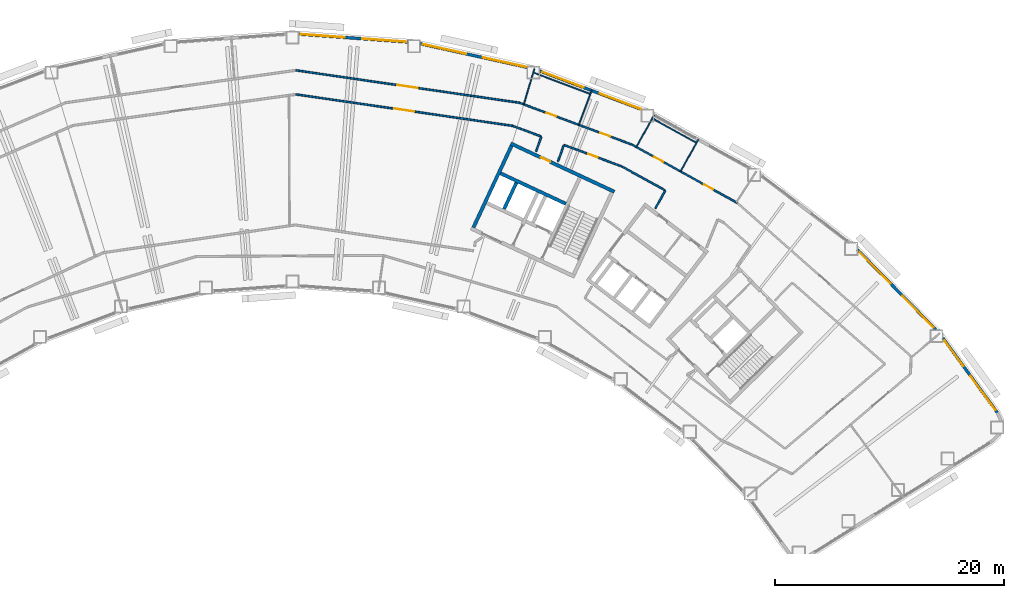
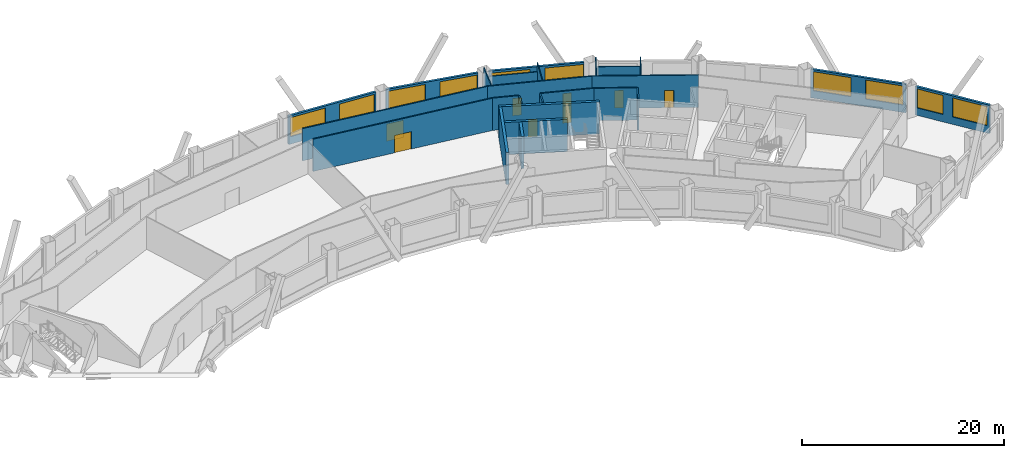
# One storey, part 8 of 11: 25 walls, 10 windows, 8 doors, 18 openings.
"""IFC4 building model written with IfcOpenShell, lengths in metres."""

from ifc_helpers import new_model, si_unit, direction, frame, frame_2d, origin, place, context, subcontext, project, spatial, rectangle, extrude, material, layer, layer_set, type_object, element, fill, save


model = new_model("IFC4")

# Units and contexts
model_context = context("Model", 3, precision=1e-05, world=origin(), true_north=direction((0.0, 1.0)))
body_context = subcontext(model_context, "Body", "Model", "MODEL_VIEW")
ifc_project = project(units=[si_unit("LENGTHUNIT", "METRE"), si_unit("AREAUNIT", "SQUARE_METRE"), si_unit("VOLUMEUNIT", "CUBIC_METRE"), si_unit("PLANEANGLEUNIT", "RADIAN"), si_unit("MASSUNIT", "GRAM", prefix="KILO")], contexts=[model_context])

# Site, building, storey
site_placement = place(None, origin())
site = spatial("IfcSite", under=ifc_project, at=site_placement, CompositionType="ELEMENT")
building_placement = place(site_placement, origin())
building = spatial("IfcBuilding", under=site, at=building_placement, Name="Tuul Gate Civic Tower", CompositionType="ELEMENT")
storey_placement = place(building_placement, frame((0.0, 0.0, 99.300048828125)))
storey = spatial("IfcBuildingStorey", under=building, at=storey_placement, Name="Level 22", CompositionType="ELEMENT", Elevation=99.300048828125)

# Wall
ifc_material_1 = material(Name="Concrete C50/60", Category="concrete")
ifc_layer_1 = layer(ifc_material_1, 0.300048828125)
ifc_layer_set_1 = layer_set([ifc_layer_1], Name="Concrete C50/60")
wall_type_1 = type_object("IfcWallType", Name="Core wall C50/60", PredefinedType="SHEAR", material=ifc_layer_set_1)
wall_1_placement = place(storey_placement, frame((33.75, -0.873779296875, 0.0), z_axis=(0.0, 0.0, 1.0), x_axis=(-0.906300917592, 0.422632992999, 0.0)))
element("IfcWall", 1, at=wall_1_placement, inside=storey, type_object=wall_type_1, Name="Core wall", PredefinedType="SHEAR", context=body_context, shape_type="SweptSolid", body=[
    extrude(rectangle(XDim=6.300048828125, YDim=0.300048828125, at=frame_2d((3.14990234375, 0.0))), origin(), (0.0, 0.0, 1.0), 3.89990234375),
])

# Wall, opening, door
wall_2_placement = place(storey_placement, frame((37.993408203125, 0.181884765625, 0.0), z_axis=(0.0, 0.0, 1.0), x_axis=(-0.906310338845, 0.422612789327, 0.0)))
wall_2 = element("IfcWall", 2, at=wall_2_placement, inside=storey, type_object=wall_type_1, Name="Core wall", PredefinedType="SHEAR", context=body_context, shape_type="SweptSolid", body=[
    extrude(rectangle(XDim=9.999755859375, YDim=0.300048828125, at=frame_2d((5.0, 0.0))), origin(), (0.0, 0.0, 1.0), 3.89990234375),
])
opening_1_placement = place(wall_2_placement, frame((6.175048828125, 0.0, 0.0)))
opening_1 = element("IfcOpeningElement", 3, at=opening_1_placement, cuts=wall_2, Name="Opening G-D31", PredefinedType="OPENING", context=body_context, shape_type="SweptSolid", body=[
    extrude(rectangle(XDim=0.89990234375, YDim=2.10009765625, at=frame_2d((0.449951171875, 1.050048828125))), frame((0.0, 0.16015625, 0.0), z_axis=(0.0, -1.0, 0.0), x_axis=(1.0, 0.0, 0.0)), (0.0, 0.0, 1.0), 0.320068359375),
])
ifc_material_2 = material(Name="Timber door leaf", Category="wood")
door_type_1 = type_object("IfcDoorType", Name="Door D09", OperationType="NOTDEFINED", PredefinedType="DOOR", material=ifc_material_2)
door_1_placement = place(opening_1_placement, origin())
door_1 = element("IfcDoor", 4, at=door_1_placement, inside=storey, type_object=door_type_1, Name="Door G-D31", OperationType="SINGLE_SWING_LEFT", OverallHeight=2.10009765625, OverallWidth=0.89990234375, PredefinedType="DOOR", context=body_context, shape_type="SweptSolid", body=[
    extrude(rectangle(XDim=0.89990234375, YDim=2.10009765625, at=frame_2d((0.449951171875, 1.050048828125))), frame((0.0, 0.02490234375, 0.0), z_axis=(0.0, -1.0, 0.0), x_axis=(1.0, 0.0, 0.0)), (0.0, 0.0, 1.0), 0.050048828125),
])
fill(opening_1, door_1)

# Walls
wall_3_placement = place(storey_placement, frame((28.349365234375, -1.33447265625, 0.0), z_axis=(0.0, 0.0, 1.0), x_axis=(0.422612891016, 0.906310291427, 0.0)))
element("IfcWall", 5, at=wall_3_placement, inside=storey, type_object=wall_type_1, Name="Core wall", PredefinedType="SHEAR", context=body_context, shape_type="SweptSolid", body=[
    extrude(rectangle(XDim=2.550048828125, YDim=0.300048828125, at=frame_2d((1.27490234375, 0.0))), origin(), (0.0, 0.0, 1.0), 3.89990234375),
])
wall_4_placement = place(storey_placement, frame((25.66455078125, -2.951416015625, 0.0), z_axis=(0.0, 0.0, 1.0), x_axis=(0.422582604137, 0.906324413596, 0.0)))
element("IfcWall", 6, at=wall_4_placement, inside=storey, type_object=wall_type_1, Name="Core wall", PredefinedType="SHEAR", context=body_context, shape_type="SweptSolid", body=[
    extrude(rectangle(XDim=7.89990234375, YDim=0.300048828125, at=frame_2d((3.949951171875, 0.0))), origin(), (0.0, 0.0, 1.0), 3.89990234375),
])

# Wall, openings, doors
ifc_material_3 = material(Name="Gypsum board partition")
ifc_layer_2 = layer(ifc_material_3, 0.14990234375)
ifc_layer_set_2 = layer_set([ifc_layer_2], Name="Gypsum board partition")
wall_type_2 = type_object("IfcWallType", Name="Corridor wall P150", PredefinedType="PARTITIONING", material=ifc_layer_set_2)
wall_5_placement = place(storey_placement, frame((39.54541015625, 4.30322265625, 0.0), z_axis=(0.0, 0.0, 1.0), x_axis=(0.874963966878, -0.48418803854, 0.0)))
wall_5 = element("IfcWall", 7, at=wall_5_placement, inside=storey, type_object=wall_type_2, Name="p004", PredefinedType="PARTITIONING", context=body_context, shape_type="SweptSolid", body=[
    extrude(rectangle(XDim=10.519775390625, YDim=0.14990234375, at=frame_2d((5.259765625, 0.0))), origin(), (0.0, 0.0, 1.0), 3.89990234375),
])
opening_2_placement = place(wall_5_placement, frame((7.186279296875, 0.0, 0.0)))
opening_2 = element("IfcOpeningElement", 8, at=opening_2_placement, cuts=wall_5, Name="Opening G-D02", PredefinedType="OPENING", context=body_context, shape_type="SweptSolid", body=[
    extrude(rectangle(XDim=0.89990234375, YDim=2.10009765625, at=frame_2d((0.449951171875, 1.050048828125))), frame((0.0, 0.0849609375, 0.0), z_axis=(0.0, -1.0, 0.0), x_axis=(1.0, 0.0, 0.0)), (0.0, 0.0, 1.0), 0.169921875),
])
opening_3_placement = place(wall_5_placement, frame((2.193603515625, 0.0, 0.0)))
opening_3 = element("IfcOpeningElement", 9, at=opening_3_placement, cuts=wall_5, Name="Opening G-D03", PredefinedType="OPENING", context=body_context, shape_type="SweptSolid", body=[
    extrude(rectangle(XDim=0.89990234375, YDim=2.10009765625, at=frame_2d((0.449951171875, 1.050048828125))), frame((0.0, 0.0849609375, 0.0), z_axis=(0.0, -1.0, 0.0), x_axis=(1.0, 0.0, 0.0)), (0.0, 0.0, 1.0), 0.169921875),
])
door_2_placement = place(opening_2_placement, origin())
door_2 = element("IfcDoor", 10, at=door_2_placement, inside=storey, type_object=door_type_1, Name="Door G-D02", OperationType="SINGLE_SWING_RIGHT", OverallHeight=2.10009765625, OverallWidth=0.89990234375, PredefinedType="DOOR", context=body_context, shape_type="SweptSolid", body=[
    extrude(rectangle(XDim=0.89990234375, YDim=2.10009765625, at=frame_2d((0.449951171875, 1.050048828125))), frame((0.0, 0.02490234375, 0.0), z_axis=(0.0, -1.0, 0.0), x_axis=(1.0, 0.0, 0.0)), (0.0, 0.0, 1.0), 0.050048828125),
])
fill(opening_2, door_2)
door_3_placement = place(opening_3_placement, origin())
door_3 = element("IfcDoor", 11, at=door_3_placement, inside=storey, type_object=door_type_1, Name="Door G-D03", OperationType="SINGLE_SWING_RIGHT", OverallHeight=2.10009765625, OverallWidth=0.89990234375, PredefinedType="DOOR", context=body_context, shape_type="SweptSolid", body=[
    extrude(rectangle(XDim=0.89990234375, YDim=2.10009765625, at=frame_2d((0.449951171875, 1.050048828125))), frame((0.0, 0.02490234375, 0.0), z_axis=(0.0, -1.0, 0.0), x_axis=(1.0, 0.0, 0.0)), (0.0, 0.0, 1.0), 0.050048828125),
])
fill(opening_3, door_3)

wall_6_placement = place(storey_placement, frame((29.68896484375, 7.966796875, 0.0), z_axis=(0.0, 0.0, 1.0), x_axis=(0.937344267912, -0.348404539886, 0.0)))
wall_6 = element("IfcWall", 12, at=wall_6_placement, inside=storey, type_object=wall_type_2, Name="p010", PredefinedType="PARTITIONING", context=body_context, shape_type="SweptSolid", body=[
    extrude(rectangle(XDim=10.515380859375, YDim=0.14990234375, at=frame_2d((5.2578125, 0.0))), origin(), (0.0, 0.0, 1.0), 3.89990234375),
])
opening_4_placement = place(wall_6_placement, frame((2.525146484375, 0.0, 0.0)))
opening_4 = element("IfcOpeningElement", 13, at=opening_4_placement, cuts=wall_6, Name="Opening G-D04", PredefinedType="OPENING", context=body_context, shape_type="SweptSolid", body=[
    extrude(rectangle(XDim=0.89990234375, YDim=2.10009765625, at=frame_2d((0.449951171875, 1.050048828125))), frame((0.0, 0.0849609375, 0.0), z_axis=(0.0, -1.0, 0.0), x_axis=(1.0, 0.0, 0.0)), (0.0, 0.0, 1.0), 0.169921875),
])
opening_5_placement = place(wall_6_placement, frame((7.562255859375, 0.0, 0.0)))
opening_5 = element("IfcOpeningElement", 14, at=opening_5_placement, cuts=wall_6, Name="Opening G-D23", PredefinedType="OPENING", context=body_context, shape_type="SweptSolid", body=[
    extrude(rectangle(XDim=0.89990234375, YDim=2.10009765625, at=frame_2d((0.449951171875, 1.050048828125))), frame((0.0, 0.0849609375, 0.0), z_axis=(0.0, -1.0, 0.0), x_axis=(1.0, 0.0, 0.0)), (0.0, 0.0, 1.0), 0.169921875),
])
door_4_placement = place(opening_4_placement, origin())
door_4 = element("IfcDoor", 15, at=door_4_placement, inside=storey, type_object=door_type_1, Name="Door G-D04", OperationType="SINGLE_SWING_RIGHT", OverallHeight=2.10009765625, OverallWidth=0.89990234375, PredefinedType="DOOR", context=body_context, shape_type="SweptSolid", body=[
    extrude(rectangle(XDim=0.89990234375, YDim=2.10009765625, at=frame_2d((0.449951171875, 1.050048828125))), frame((0.0, 0.02490234375, 0.0), z_axis=(0.0, -1.0, 0.0), x_axis=(1.0, 0.0, 0.0)), (0.0, 0.0, 1.0), 0.050048828125),
])
fill(opening_4, door_4)
door_5_placement = place(opening_5_placement, origin())
door_5 = element("IfcDoor", 16, at=door_5_placement, inside=storey, type_object=door_type_1, Name="Door G-D23", OperationType="SINGLE_SWING_RIGHT", OverallHeight=2.10009765625, OverallWidth=0.89990234375, PredefinedType="DOOR", context=body_context, shape_type="SweptSolid", body=[
    extrude(rectangle(XDim=0.89990234375, YDim=2.10009765625, at=frame_2d((0.449951171875, 1.050048828125))), frame((0.0, 0.02490234375, 0.0), z_axis=(0.0, -1.0, 0.0), x_axis=(1.0, 0.0, 0.0)), (0.0, 0.0, 1.0), 0.050048828125),
])
fill(opening_5, door_5)

# Wall, opening, door
wall_7_placement = place(storey_placement, frame((10.135986328125, 10.806640625, 0.0), z_axis=(0.0, 0.0, 1.0), x_axis=(0.989616882265, -0.143730394617, 0.0)))
wall_7 = element("IfcWall", 17, at=wall_7_placement, inside=storey, type_object=wall_type_2, Name="p014", PredefinedType="PARTITIONING", context=body_context, shape_type="SweptSolid", body=[
    extrude(rectangle(XDim=19.758056640625, YDim=0.14990234375, at=frame_2d((9.87890625, 0.0))), origin(), (0.0, 0.0, 1.0), 3.89990234375),
])
opening_6_placement = place(wall_7_placement, frame((8.97900390625, 0.0, 0.0)))
opening_6 = element("IfcOpeningElement", 18, at=opening_6_placement, cuts=wall_7, Name="Opening G-D05", PredefinedType="OPENING", context=body_context, shape_type="SweptSolid", body=[
    extrude(rectangle(XDim=1.800048828125, YDim=2.10009765625, at=frame_2d((0.89990234375, 1.050048828125))), frame((0.0, 0.0849609375, 0.0), z_axis=(0.0, -1.0, 0.0), x_axis=(1.0, 0.0, 0.0)), (0.0, 0.0, 1.0), 0.169921875),
])
ifc_material_4 = material(Name="Timber door leaf, double", Category="wood")
door_type_2 = type_object("IfcDoorType", Name="Door D18", OperationType="DOUBLE_DOOR_SINGLE_SWING", PredefinedType="DOOR", material=ifc_material_4)
door_6_placement = place(opening_6_placement, origin())
door_6 = element("IfcDoor", 19, at=door_6_placement, inside=storey, type_object=door_type_2, Name="Door G-D05", OperationType="DOUBLE_DOOR_SINGLE_SWING", OverallHeight=2.10009765625, OverallWidth=1.800048828125, PredefinedType="DOOR", context=body_context, shape_type="SweptSolid", body=[
    extrude(rectangle(XDim=1.800048828125, YDim=2.10009765625, at=frame_2d((0.89990234375, 1.050048828125))), frame((0.0, 0.02490234375, 0.0), z_axis=(0.0, -1.0, 0.0), x_axis=(1.0, 0.0, 0.0)), (0.0, 0.0, 1.0), 0.050048828125),
])
fill(opening_6, door_6)

# Walls
wall_8_placement = place(storey_placement, frame((38.66748046875, 2.388916015625, 0.0), z_axis=(0.0, 0.0, 1.0), x_axis=(0.874977303157, -0.484163938103, 0.0)))
element("IfcWall", 20, at=wall_8_placement, inside=storey, type_object=wall_type_2, Name="p054", PredefinedType="PARTITIONING", context=body_context, shape_type="SweptSolid", body=[
    extrude(rectangle(XDim=4.3046875, YDim=0.14990234375, at=frame_2d((2.15234375, 0.0))), origin(), (0.0, 0.0, 1.0), 3.89990234375),
])
wall_9_placement = place(storey_placement, frame((33.059326171875, 2.814453125, 0.0), z_axis=(0.0, 0.0, 1.0), x_axis=(0.337142214413, 0.941453730813, 0.0)))
element("IfcWall", 21, at=wall_9_placement, inside=storey, type_object=wall_type_2, Name="p058", PredefinedType="PARTITIONING", context=body_context, shape_type="SweptSolid", body=[
    extrude(rectangle(XDim=1.53515625, YDim=0.14990234375, at=frame_2d((0.767578125, 0.0))), origin(), (0.0, 0.0, 1.0), 3.89990234375),
])
wall_10_placement = place(storey_placement, frame((29.093017578125, 5.94775390625, 0.0), z_axis=(0.0, 0.0, 1.0), x_axis=(0.937354495684, -0.348377021948, 0.0)))
element("IfcWall", 22, at=wall_10_placement, inside=storey, type_object=wall_type_2, Name="p059", PredefinedType="PARTITIONING", context=body_context, shape_type="SweptSolid", body=[
    extrude(rectangle(XDim=2.670654296875, YDim=0.14990234375, at=frame_2d((1.33544921875, 0.0))), origin(), (0.0, 0.0, 1.0), 3.89990234375),
])

# Wall, opening, door
wall_11_placement = place(storey_placement, frame((33.6025390625, 4.271728515625, 0.0), z_axis=(0.0, 0.0, 1.0), x_axis=(0.937345147729, -0.348402172826, 0.0)))
wall_11 = element("IfcWall", 23, at=wall_11_placement, inside=storey, type_object=wall_type_2, Name="p060", PredefinedType="PARTITIONING", context=body_context, shape_type="SweptSolid", body=[
    extrude(rectangle(XDim=5.400634765625, YDim=0.14990234375, at=frame_2d((2.7001953125, 0.0))), origin(), (0.0, 0.0, 1.0), 3.89990234375),
])
opening_7_placement = place(wall_11_placement, frame((2.250244140625, 0.0, 0.0)))
opening_7 = element("IfcOpeningElement", 24, at=opening_7_placement, cuts=wall_11, Name="Opening G-D16", PredefinedType="OPENING", context=body_context, shape_type="SweptSolid", body=[
    extrude(rectangle(XDim=0.89990234375, YDim=2.10009765625, at=frame_2d((0.449951171875, 1.050048828125))), frame((0.0, 0.0849609375, 0.0), z_axis=(0.0, -1.0, 0.0), x_axis=(1.0, 0.0, 0.0)), (0.0, 0.0, 1.0), 0.169921875),
])
door_7_placement = place(opening_7_placement, frame((0.89990234375, 0.0, 0.0), z_axis=(0.0, 0.0, 1.0), x_axis=(-1.0, 0.0, 0.0)))
door_7 = element("IfcDoor", 25, at=door_7_placement, inside=storey, type_object=door_type_1, Name="Door G-D16", OperationType="SINGLE_SWING_LEFT", OverallHeight=2.10009765625, OverallWidth=0.89990234375, PredefinedType="DOOR", context=body_context, shape_type="SweptSolid", body=[
    extrude(rectangle(XDim=0.89990234375, YDim=2.10009765625, at=frame_2d((0.449951171875, 1.050048828125))), frame((0.0, 0.02490234375, 0.0), z_axis=(0.0, -1.0, 0.0), x_axis=(1.0, 0.0, 0.0)), (0.0, 0.0, 1.0), 0.050048828125),
])
fill(opening_7, door_7)

# Wall
wall_12_placement = place(storey_placement, frame((41.580322265625, -1.288818359375, 0.0), z_axis=(0.0, 0.0, 1.0), x_axis=(0.481939719388, 0.876204375061, 0.0)))
element("IfcWall", 26, at=wall_12_placement, inside=storey, type_object=wall_type_2, Name="p061", PredefinedType="PARTITIONING", context=body_context, shape_type="SweptSolid", body=[
    extrude(rectangle(XDim=1.78759765625, YDim=0.14990234375, at=frame_2d((0.893798828125, 0.0))), origin(), (0.0, 0.0, 1.0), 3.89990234375),
])

# Wall, opening, door
wall_13_placement = place(storey_placement, frame((10.134521484375, 8.700927734375, 0.0), z_axis=(0.0, 0.0, 1.0), x_axis=(0.989617506615, -0.143726095753, 0.0)))
wall_13 = element("IfcWall", 27, at=wall_13_placement, inside=storey, type_object=wall_type_2, Name="p064", PredefinedType="PARTITIONING", context=body_context, shape_type="SweptSolid", body=[
    extrude(rectangle(XDim=19.157470703125, YDim=0.14990234375, at=frame_2d((9.57861328125, 0.0))), origin(), (0.0, 0.0, 1.0), 3.89990234375),
])
opening_8_placement = place(wall_13_placement, frame((8.6787109375, 0.0, 0.0)))
opening_8 = element("IfcOpeningElement", 28, at=opening_8_placement, cuts=wall_13, Name="Opening G-D17", PredefinedType="OPENING", context=body_context, shape_type="SweptSolid", body=[
    extrude(rectangle(XDim=1.800048828125, YDim=2.10009765625, at=frame_2d((0.89990234375, 1.050048828125))), frame((0.0, 0.0849609375, 0.0), z_axis=(0.0, -1.0, 0.0), x_axis=(1.0, 0.0, 0.0)), (0.0, 0.0, 1.0), 0.169921875),
])
door_8_placement = place(opening_8_placement, frame((1.800048828125, 0.0, 0.0), z_axis=(0.0, 0.0, 1.0), x_axis=(-1.0, 0.0, 0.0)))
door_8 = element("IfcDoor", 29, at=door_8_placement, inside=storey, type_object=door_type_2, Name="Door G-D17", OperationType="DOUBLE_DOOR_SINGLE_SWING", OverallHeight=2.10009765625, OverallWidth=1.800048828125, PredefinedType="DOOR", context=body_context, shape_type="SweptSolid", body=[
    extrude(rectangle(XDim=1.800048828125, YDim=2.10009765625, at=frame_2d((0.900146484375, 1.050048828125))), frame((0.0, 0.02490234375, 0.0), z_axis=(0.0, -1.0, 0.0), x_axis=(1.0, 0.0, 0.0)), (0.0, 0.0, 1.0), 0.050048828125),
])
fill(opening_8, door_8)

# Wall
wall_14_placement = place(storey_placement, frame((31.148193359375, 3.705078125, 0.0), z_axis=(0.0, 0.0, 1.0), x_axis=(0.336789091407, 0.941580112316, 0.0)))
element("IfcWall", 30, at=wall_14_placement, inside=storey, type_object=wall_type_2, Name="p065", PredefinedType="PARTITIONING", context=body_context, shape_type="SweptSolid", body=[
    extrude(rectangle(XDim=1.366455078125, YDim=0.14990234375, at=frame_2d((0.68310546875, 0.0))), origin(), (0.0, 0.0, 1.0), 3.89990234375),
])

# Wall, openings, windows
ifc_material_5 = material(Name="Precast concrete C40/50", Category="concrete")
ifc_layer_3 = layer(ifc_material_5, 0.25)
ifc_layer_set_3 = layer_set([ifc_layer_3], Name="Precast concrete C40/50")
wall_type_3 = type_object("IfcWallType", Name="External wall", PredefinedType="STANDARD", material=ifc_layer_set_3)
wall_15_placement = place(storey_placement, frame((71.51806640625, -19.15869140625, 0.0), z_axis=(0.0, 0.0, 1.0), x_axis=(-0.589826474226, 0.807530018205, 0.0)))
wall_15 = element("IfcWall", 31, at=wall_15_placement, inside=storey, type_object=wall_type_3, Name="External wall", PredefinedType="STANDARD", context=body_context, shape_type="SweptSolid", body=[
    extrude(rectangle(XDim=8.082275390625, YDim=0.25, at=frame_2d((4.041015625, 0.0))), origin(), (0.0, 0.0, 1.0), 3.449951171875),
])
opening_9_placement = place(wall_15_placement, frame((0.30078125, 0.0, 0.89990234375)))
opening_9 = element("IfcOpeningElement", 32, at=opening_9_placement, cuts=wall_15, Name="Opening W21", PredefinedType="OPENING", context=body_context, shape_type="SweptSolid", body=[
    extrude(rectangle(XDim=3.699951171875, YDim=2.300048828125, at=frame_2d((1.85009765625, 1.14990234375))), frame((0.0, 0.135009765625, 0.0), z_axis=(0.0, -1.0, 0.0), x_axis=(1.0, 0.0, 0.0)), (0.0, 0.0, 1.0), 0.27001953125),
])
opening_10_placement = place(wall_15_placement, frame((5.052001953125, 0.0, 0.89990234375)))
opening_10 = element("IfcOpeningElement", 33, at=opening_10_placement, cuts=wall_15, Name="Opening W23", PredefinedType="OPENING", context=body_context, shape_type="SweptSolid", body=[
    extrude(rectangle(XDim=2.800048828125, YDim=2.300048828125, at=frame_2d((1.39990234375, 1.14990234375))), frame((0.0, 0.135009765625, 0.0), z_axis=(0.0, -1.0, 0.0), x_axis=(1.0, 0.0, 0.0)), (0.0, 0.0, 1.0), 0.27001953125),
])
ifc_material_6 = material(Name="Glass", Category="glass")
window_type_1 = type_object("IfcWindowType", Name="Window W21 3700 x 2300", PartitioningType="SINGLE_PANEL", PredefinedType="WINDOW", material=ifc_material_6)
window_1_placement = place(opening_9_placement, origin())
window_1 = element("IfcWindow", 34, at=window_1_placement, inside=storey, type_object=window_type_1, Name="Window", OverallHeight=2.300048828125, OverallWidth=3.699951171875, PartitioningType="SINGLE_PANEL", PredefinedType="WINDOW", context=body_context, shape_type="SweptSolid", body=[
    extrude(rectangle(XDim=3.699951171875, YDim=2.300048828125, at=frame_2d((1.85009765625, 1.14990234375))), frame((0.0, 0.030029296875, 0.0), z_axis=(0.0, -1.0, 0.0), x_axis=(1.0, 0.0, 0.0)), (0.0, 0.0, 1.0), 0.06005859375),
])
fill(opening_9, window_1)
ifc_material_7 = material(Name="Glass", Category="glass")
window_type_2 = type_object("IfcWindowType", Name="Window W23 2800 x 2300", PartitioningType="SINGLE_PANEL", PredefinedType="WINDOW", material=ifc_material_7)
window_2_placement = place(opening_10_placement, origin())
window_2 = element("IfcWindow", 35, at=window_2_placement, inside=storey, type_object=window_type_2, Name="Window", OverallHeight=2.300048828125, OverallWidth=2.800048828125, PartitioningType="SINGLE_PANEL", PredefinedType="WINDOW", context=body_context, shape_type="SweptSolid", body=[
    extrude(rectangle(XDim=2.800048828125, YDim=2.300048828125, at=frame_2d((1.39990234375, 1.14990234375))), frame((0.0, 0.030029296875, 0.0), z_axis=(0.0, -1.0, 0.0), x_axis=(1.0, 0.0, 0.0)), (0.0, 0.0, 1.0), 0.06005859375),
])
fill(opening_10, window_2)

wall_16_placement = place(storey_placement, frame((66.1162109375, -11.87890625, 0.0), z_axis=(0.0, 0.0, 1.0), x_axis=(-0.700013456131, 0.714129652959, 0.0)))
wall_16 = element("IfcWall", 36, at=wall_16_placement, inside=storey, type_object=wall_type_3, Name="External wall", PredefinedType="STANDARD", context=body_context, shape_type="SweptSolid", body=[
    extrude(rectangle(XDim=9.771728515625, YDim=0.25, at=frame_2d((4.8857421875, 0.0))), origin(), (0.0, 0.0, 1.0), 3.449951171875),
])
opening_11_placement = place(wall_16_placement, frame((0.275634765625, 0.0, 0.89990234375)))
opening_11 = element("IfcOpeningElement", 37, at=opening_11_placement, cuts=wall_16, Name="Opening W22", PredefinedType="OPENING", context=body_context, shape_type="SweptSolid", body=[
    extrude(rectangle(XDim=3.85009765625, YDim=2.300048828125, at=frame_2d((1.925048828125, 1.14990234375))), frame((0.0, 0.135009765625, 0.0), z_axis=(0.0, -1.0, 0.0), x_axis=(1.0, 0.0, 0.0)), (0.0, 0.0, 1.0), 0.27001953125),
])
opening_12_placement = place(wall_16_placement, frame((5.64697265625, 0.0, 0.89990234375)))
opening_12 = element("IfcOpeningElement", 38, at=opening_12_placement, cuts=wall_16, Name="Opening W22", PredefinedType="OPENING", context=body_context, shape_type="SweptSolid", body=[
    extrude(rectangle(XDim=3.85009765625, YDim=2.300048828125, at=frame_2d((1.925048828125, 1.14990234375))), frame((0.0, 0.135009765625, 0.0), z_axis=(0.0, -1.0, 0.0), x_axis=(1.0, 0.0, 0.0)), (0.0, 0.0, 1.0), 0.27001953125),
])
ifc_material_8 = material(Name="Glass", Category="glass")
window_type_3 = type_object("IfcWindowType", Name="Window W22 3850 x 2300", PartitioningType="SINGLE_PANEL", PredefinedType="WINDOW", material=ifc_material_8)
window_3_placement = place(opening_11_placement, origin())
window_3 = element("IfcWindow", 39, at=window_3_placement, inside=storey, type_object=window_type_3, Name="Window", OverallHeight=2.300048828125, OverallWidth=3.85009765625, PartitioningType="SINGLE_PANEL", PredefinedType="WINDOW", context=body_context, shape_type="SweptSolid", body=[
    extrude(rectangle(XDim=3.85009765625, YDim=2.300048828125, at=frame_2d((1.925048828125, 1.14990234375))), frame((0.0, 0.030029296875, 0.0), z_axis=(0.0, -1.0, 0.0), x_axis=(1.0, 0.0, 0.0)), (0.0, 0.0, 1.0), 0.06005859375),
])
fill(opening_11, window_3)
window_4_placement = place(opening_12_placement, origin())
window_4 = element("IfcWindow", 40, at=window_4_placement, inside=storey, type_object=window_type_3, Name="Window", OverallHeight=2.300048828125, OverallWidth=3.85009765625, PartitioningType="SINGLE_PANEL", PredefinedType="WINDOW", context=body_context, shape_type="SweptSolid", body=[
    extrude(rectangle(XDim=3.85009765625, YDim=2.300048828125, at=frame_2d((1.925048828125, 1.14990234375))), frame((0.0, 0.030029296875, 0.0), z_axis=(0.0, -1.0, 0.0), x_axis=(1.0, 0.0, 0.0)), (0.0, 0.0, 1.0), 0.06005859375),
])
fill(opening_12, window_4)

wall_17_placement = place(storey_placement, frame((40.358154296875, 7.389892578125, 0.0), z_axis=(0.0, 0.0, 1.0), x_axis=(-0.935373880855, 0.353660434618, 0.0)))
wall_17 = element("IfcWall", 41, at=wall_17_placement, inside=storey, type_object=wall_type_3, Name="External wall", PredefinedType="STANDARD", context=body_context, shape_type="SweptSolid", body=[
    extrude(rectangle(XDim=9.518310546875, YDim=0.25, at=frame_2d((4.75927734375, 0.0))), origin(), (0.0, 0.0, 1.0), 3.449951171875),
])
opening_13_placement = place(wall_17_placement, frame((0.0341796875, 0.0, 0.89990234375)))
opening_13 = element("IfcOpeningElement", 42, at=opening_13_placement, cuts=wall_17, Name="Opening W22", PredefinedType="OPENING", context=body_context, shape_type="SweptSolid", body=[
    extrude(rectangle(XDim=3.85009765625, YDim=2.300048828125, at=frame_2d((1.925048828125, 1.14990234375))), frame((0.0, 0.135009765625, 0.0), z_axis=(0.0, -1.0, 0.0), x_axis=(1.0, 0.0, 0.0)), (0.0, 0.0, 1.0), 0.27001953125),
])
opening_14_placement = place(wall_17_placement, frame((5.4052734375, 0.0, 0.89990234375)))
opening_14 = element("IfcOpeningElement", 43, at=opening_14_placement, cuts=wall_17, Name="Opening W22", PredefinedType="OPENING", context=body_context, shape_type="SweptSolid", body=[
    extrude(rectangle(XDim=3.85009765625, YDim=2.300048828125, at=frame_2d((1.925048828125, 1.14990234375))), frame((0.0, 0.135009765625, 0.0), z_axis=(0.0, -1.0, 0.0), x_axis=(1.0, 0.0, 0.0)), (0.0, 0.0, 1.0), 0.27001953125),
])
window_5_placement = place(opening_13_placement, origin())
window_5 = element("IfcWindow", 44, at=window_5_placement, inside=storey, type_object=window_type_3, Name="Window", OverallHeight=2.300048828125, OverallWidth=3.85009765625, PartitioningType="SINGLE_PANEL", PredefinedType="WINDOW", context=body_context, shape_type="SweptSolid", body=[
    extrude(rectangle(XDim=3.85009765625, YDim=2.300048828125, at=frame_2d((1.925048828125, 1.14990234375))), frame((0.0, 0.030029296875, 0.0), z_axis=(0.0, -1.0, 0.0), x_axis=(1.0, 0.0, 0.0)), (0.0, 0.0, 1.0), 0.06005859375),
])
fill(opening_13, window_5)
window_6_placement = place(opening_14_placement, origin())
window_6 = element("IfcWindow", 45, at=window_6_placement, inside=storey, type_object=window_type_3, Name="Window", OverallHeight=2.300048828125, OverallWidth=3.85009765625, PartitioningType="SINGLE_PANEL", PredefinedType="WINDOW", context=body_context, shape_type="SweptSolid", body=[
    extrude(rectangle(XDim=3.85009765625, YDim=2.300048828125, at=frame_2d((1.925048828125, 1.14990234375))), frame((0.0, 0.030029296875, 0.0), z_axis=(0.0, -1.0, 0.0), x_axis=(1.0, 0.0, 0.0)), (0.0, 0.0, 1.0), 0.06005859375),
])
fill(opening_14, window_6)

wall_18_placement = place(storey_placement, frame((30.35498046875, 11.070556640625, 0.0), z_axis=(0.0, 0.0, 1.0), x_axis=(-0.976562109563, 0.215235792019, 0.0)))
wall_18 = element("IfcWall", 46, at=wall_18_placement, inside=storey, type_object=wall_type_3, Name="External wall", PredefinedType="STANDARD", context=body_context, shape_type="SweptSolid", body=[
    extrude(rectangle(XDim=9.55078125, YDim=0.25, at=frame_2d((4.775390625, 0.0))), origin(), (0.0, 0.0, 1.0), 3.449951171875),
])
opening_15_placement = place(wall_18_placement, frame((0.093017578125, 0.0, 0.89990234375)))
opening_15 = element("IfcOpeningElement", 47, at=opening_15_placement, cuts=wall_18, Name="Opening W22", PredefinedType="OPENING", context=body_context, shape_type="SweptSolid", body=[
    extrude(rectangle(XDim=3.85009765625, YDim=2.300048828125, at=frame_2d((1.925048828125, 1.14990234375))), frame((0.0, 0.135009765625, 0.0), z_axis=(0.0, -1.0, 0.0), x_axis=(1.0, 0.0, 0.0)), (0.0, 0.0, 1.0), 0.27001953125),
])
opening_16_placement = place(wall_18_placement, frame((5.46435546875, 0.0, 0.89990234375)))
opening_16 = element("IfcOpeningElement", 48, at=opening_16_placement, cuts=wall_18, Name="Opening W22", PredefinedType="OPENING", context=body_context, shape_type="SweptSolid", body=[
    extrude(rectangle(XDim=3.85009765625, YDim=2.300048828125, at=frame_2d((1.925048828125, 1.14990234375))), frame((0.0, 0.135009765625, 0.0), z_axis=(0.0, -1.0, 0.0), x_axis=(1.0, 0.0, 0.0)), (0.0, 0.0, 1.0), 0.27001953125),
])
window_7_placement = place(opening_15_placement, origin())
window_7 = element("IfcWindow", 49, at=window_7_placement, inside=storey, type_object=window_type_3, Name="Window", OverallHeight=2.300048828125, OverallWidth=3.85009765625, PartitioningType="SINGLE_PANEL", PredefinedType="WINDOW", context=body_context, shape_type="SweptSolid", body=[
    extrude(rectangle(XDim=3.85009765625, YDim=2.300048828125, at=frame_2d((1.925048828125, 1.14990234375))), frame((0.0, 0.030029296875, 0.0), z_axis=(0.0, -1.0, 0.0), x_axis=(1.0, 0.0, 0.0)), (0.0, 0.0, 1.0), 0.06005859375),
])
fill(opening_15, window_7)
window_8_placement = place(opening_16_placement, origin())
window_8 = element("IfcWindow", 50, at=window_8_placement, inside=storey, type_object=window_type_3, Name="Window", OverallHeight=2.300048828125, OverallWidth=3.85009765625, PartitioningType="SINGLE_PANEL", PredefinedType="WINDOW", context=body_context, shape_type="SweptSolid", body=[
    extrude(rectangle(XDim=3.85009765625, YDim=2.300048828125, at=frame_2d((1.925048828125, 1.14990234375))), frame((0.0, 0.030029296875, 0.0), z_axis=(0.0, -1.0, 0.0), x_axis=(1.0, 0.0, 0.0)), (0.0, 0.0, 1.0), 0.06005859375),
])
fill(opening_16, window_8)

wall_19_placement = place(storey_placement, frame((19.927978515625, 13.2802734375, 0.0), z_axis=(0.0, 0.0, 1.0), x_axis=(-0.997379785239, 0.072343375623, 0.0)))
wall_19 = element("IfcWall", 51, at=wall_19_placement, inside=storey, type_object=wall_type_3, Name="External wall", PredefinedType="STANDARD", context=body_context, shape_type="SweptSolid", body=[
    extrude(rectangle(XDim=9.57421875, YDim=0.25, at=frame_2d((4.787109375, 0.0))), origin(), (0.0, 0.0, 1.0), 3.449951171875),
])
opening_17_placement = place(wall_19_placement, frame((0.153076171875, 0.0, 0.89990234375)))
opening_17 = element("IfcOpeningElement", 52, at=opening_17_placement, cuts=wall_19, Name="Opening W22", PredefinedType="OPENING", context=body_context, shape_type="SweptSolid", body=[
    extrude(rectangle(XDim=3.85009765625, YDim=2.300048828125, at=frame_2d((1.925048828125, 1.14990234375))), frame((0.0, 0.135009765625, 0.0), z_axis=(0.0, -1.0, 0.0), x_axis=(1.0, 0.0, 0.0)), (0.0, 0.0, 1.0), 0.27001953125),
])
opening_18_placement = place(wall_19_placement, frame((5.524169921875, 0.0, 0.89990234375)))
opening_18 = element("IfcOpeningElement", 53, at=opening_18_placement, cuts=wall_19, Name="Opening W22", PredefinedType="OPENING", context=body_context, shape_type="SweptSolid", body=[
    extrude(rectangle(XDim=3.85009765625, YDim=2.300048828125, at=frame_2d((1.925048828125, 1.14990234375))), frame((0.0, 0.135009765625, 0.0), z_axis=(0.0, -1.0, 0.0), x_axis=(1.0, 0.0, 0.0)), (0.0, 0.0, 1.0), 0.27001953125),
])
window_9_placement = place(opening_17_placement, origin())
window_9 = element("IfcWindow", 54, at=window_9_placement, inside=storey, type_object=window_type_3, Name="Window", OverallHeight=2.300048828125, OverallWidth=3.85009765625, PartitioningType="SINGLE_PANEL", PredefinedType="WINDOW", context=body_context, shape_type="SweptSolid", body=[
    extrude(rectangle(XDim=3.85009765625, YDim=2.300048828125, at=frame_2d((1.925048828125, 1.14990234375))), frame((0.0, 0.030029296875, 0.0), z_axis=(0.0, -1.0, 0.0), x_axis=(1.0, 0.0, 0.0)), (0.0, 0.0, 1.0), 0.06005859375),
])
fill(opening_17, window_9)
window_10_placement = place(opening_18_placement, origin())
window_10 = element("IfcWindow", 55, at=window_10_placement, inside=storey, type_object=window_type_3, Name="Window", OverallHeight=2.300048828125, OverallWidth=3.85009765625, PartitioningType="SINGLE_PANEL", PredefinedType="WINDOW", context=body_context, shape_type="SweptSolid", body=[
    extrude(rectangle(XDim=3.85009765625, YDim=2.300048828125, at=frame_2d((1.925048828125, 1.14990234375))), frame((0.0, 0.030029296875, 0.0), z_axis=(0.0, -1.0, 0.0), x_axis=(1.0, 0.0, 0.0)), (0.0, 0.0, 1.0), 0.06005859375),
])
fill(opening_18, window_10)

# Walls
ifc_material_9 = material(Name="Gypsum board partition")
ifc_layer_4 = layer(ifc_material_9, 0.10009765625)
ifc_layer_set_4 = layer_set([ifc_layer_4], Name="Gypsum board partition")
wall_type_4 = type_object("IfcWallType", Name="Partition P100", PredefinedType="PARTITIONING", material=ifc_layer_set_4)
wall_20_placement = place(storey_placement, frame((43.79296875, 1.95263671875, 0.0), z_axis=(0.0, 0.0, 1.0), x_axis=(0.484158359677, 0.874980389926, 0.0)))
element("IfcWall", 56, at=wall_20_placement, inside=storey, type_object=wall_type_4, Name="p007", PredefinedType="PARTITIONING", context=body_context, shape_type="SweptSolid", body=[
    extrude(rectangle(XDim=3.198974609375, YDim=0.10009765625, at=frame_2d((1.599609375, 0.0))), origin(), (0.0, 0.0, 1.0), 3.89990234375),
])
wall_21_placement = place(storey_placement, frame((39.9248046875, 4.09326171875, 0.0), z_axis=(0.0, 0.0, 1.0), x_axis=(0.484153298881, 0.874983190229, 0.0)))
element("IfcWall", 57, at=wall_21_placement, inside=storey, type_object=wall_type_4, Name="p008", PredefinedType="PARTITIONING", context=body_context, shape_type="SweptSolid", body=[
    extrude(rectangle(XDim=3.2021484375, YDim=0.10009765625, at=frame_2d((1.60107421875, 0.0))), origin(), (0.0, 0.0, 1.0), 3.89990234375),
])
wall_22_placement = place(storey_placement, frame((30.07421875, 7.823486328125, 0.0), z_axis=(0.0, 0.0, 1.0), x_axis=(0.285228087536, 0.958459669512, 0.0)))
element("IfcWall", 58, at=wall_22_placement, inside=storey, type_object=wall_type_4, Name="p009", PredefinedType="PARTITIONING", context=body_context, shape_type="SweptSolid", body=[
    extrude(rectangle(XDim=3.244873046875, YDim=0.10009765625, at=frame_2d((1.62255859375, 0.0))), origin(), (0.0, 0.0, 1.0), 3.89990234375),
])
wall_23_placement = place(storey_placement, frame((34.881103515625, 6.036865234375, 0.0), z_axis=(0.0, 0.0, 1.0), x_axis=(0.353699544587, 0.935359092626, 0.0)))
element("IfcWall", 59, at=wall_23_placement, inside=storey, type_object=wall_type_4, Name="p011", PredefinedType="PARTITIONING", context=body_context, shape_type="SweptSolid", body=[
    extrude(rectangle(XDim=3.20751953125, YDim=0.10009765625, at=frame_2d((1.603759765625, 0.0))), origin(), (0.0, 0.0, 1.0), 3.89990234375),
])
ifc_material_10 = material(Name="Gypsum board partition")
ifc_layer_5 = layer(ifc_material_10, 0.10009765625)
ifc_layer_set_5 = layer_set([ifc_layer_5], Name="Gypsum board partition")
wall_type_5 = type_object("IfcWallType", Name="Partition P100 3000 HIGH", PredefinedType="PARTITIONING", material=ifc_layer_set_5)
wall_24_placement = place(storey_placement, frame((41.3154296875, 6.606201171875, 0.0), z_axis=(0.0, 0.0, 1.0), x_axis=(0.874631038465, -0.48478917743, 0.0)))
element("IfcWall", 60, at=wall_24_placement, inside=storey, type_object=wall_type_5, Name="p083", PredefinedType="PARTITIONING", context=body_context, shape_type="SweptSolid", body=[
    extrude(rectangle(XDim=4.420166015625, YDim=0.10009765625, at=frame_2d((2.2099609375, 0.0))), origin(), (0.0, 0.0, 1.0), 3.0),
])
wall_25_placement = place(storey_placement, frame((30.9052734375, 10.61669921875, 0.0), z_axis=(0.0, 0.0, 1.0), x_axis=(0.935367232541, -0.353678017819, 0.0)))
element("IfcWall", 61, at=wall_25_placement, inside=storey, type_object=wall_type_5, Name="p084", PredefinedType="PARTITIONING", context=body_context, shape_type="SweptSolid", body=[
    extrude(rectangle(XDim=5.338623046875, YDim=0.10009765625, at=frame_2d((2.66943359375, 0.0))), origin(), (0.0, 0.0, 1.0), 3.0),
])

save(model, "model.ifc")
